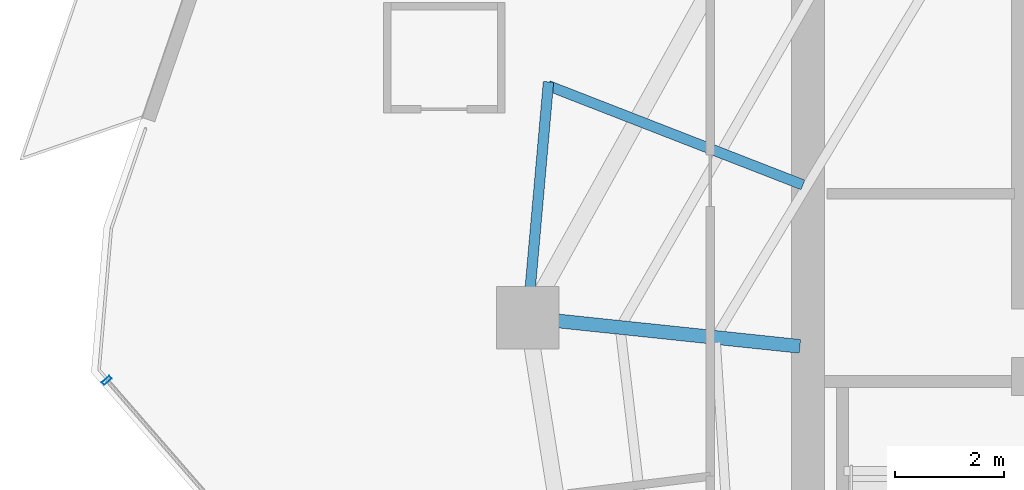
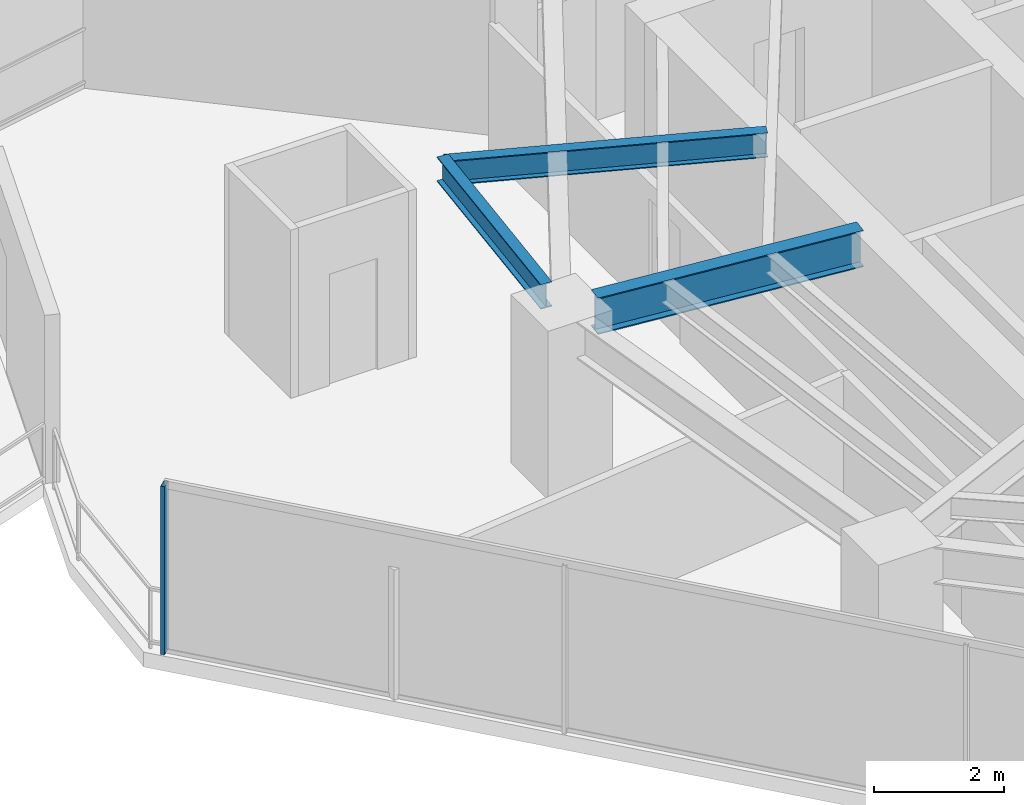
# One storey, part 8 of 27: 3 beams, 1 member, 1 element without a shape of its own.
"""IFC4 building model written with IfcOpenShell, lengths in metres."""

import ifcopenshell
import ifcopenshell.guid

model = None  # the IFC model being written
_history = None  # IfcOwnerHistory: only IFC2X3 demands one
_inside = {}  # id of a spatial element -> (the spatial element, [elements in it])
_under = {}  # id of a project, library or spatial element -> (it, [spatial elements below it])
_declared = {}  # id of a project -> (the project, [libraries it declares])
_typed = {}  # id of a type object -> (the type object, [elements of that type])
_made_of = {}  # id of a material, layer set ... -> (it, [elements and type objects made of it])


def new_model(schema):
    """Start an empty IFC model of exactly this schema.

    Asked for "IFC4X3", IfcOpenShell would pick the latest addendum, in which some entities
    have other attributes; the version numbers below select the first issue.
    IFC2X3 requires an IfcOwnerHistory on every rooted entity: one is made here for all.
    """
    global model, _history
    if schema == "IFC4X3":
        model = ifcopenshell.file(schema_version=(4, 3, 0, 0))
    else:
        model = ifcopenshell.file(schema=schema)
    _inside.clear()
    _under.clear()
    _declared.clear()
    _typed.clear()
    _made_of.clear()
    _history = None
    if model.schema == "IFC2X3":
        org = make("IfcOrganization", Name="unknown")
        user = make(
            "IfcPersonAndOrganization",
            ThePerson=make("IfcPerson", FamilyName="unknown"),
            TheOrganization=org,
        )
        app = make(
            "IfcApplication",
            ApplicationDeveloper=org,
            Version="unknown",
            ApplicationFullName="unknown",
            ApplicationIdentifier="unknown",
        )
        _history = make(
            "IfcOwnerHistory",
            OwningUser=user,
            OwningApplication=app,
            ChangeAction="ADDED",
            CreationDate=0,
        )
    return model


def make(cls, **values):
    """One entity of the class cls with the attributes given. An attribute that is None is left unset."""
    return model.create_entity(
        cls, **{name: value for name, value in values.items() if value is not None}
    )


def rooted(cls, **values):
    """An entity with a GlobalId (a new one), such as an element, a storey or a relation."""
    return make(cls, GlobalId=ifcopenshell.guid.new(), OwnerHistory=_history, **values)


def si_unit(unit_type, name, prefix=None):
    """IfcSIUnit, for example si_unit("LENGTHUNIT", "METRE", prefix="MILLI")."""
    return make("IfcSIUnit", UnitType=unit_type, Prefix=prefix, Name=name)


def assignment(units):
    """IfcUnitAssignment: the units of a project."""
    return None if units is None else make("IfcUnitAssignment", Units=units)


def point(xyz):
    """IfcCartesianPoint."""
    return None if xyz is None else make("IfcCartesianPoint", Coordinates=xyz)


def direction(xyz):
    """IfcDirection."""
    return None if xyz is None else make("IfcDirection", DirectionRatios=xyz)


def frame(location, z_axis=None, x_axis=None):
    """IfcAxis2Placement3D, a coordinate frame: its origin and axes. An axis left out is left unset."""
    return make(
        "IfcAxis2Placement3D",
        Location=point(location),
        Axis=direction(z_axis),
        RefDirection=direction(x_axis),
    )


def frame_2d(location, x_axis=None):
    """IfcAxis2Placement2D, a coordinate frame in the plane: its origin and x axis."""
    return make(
        "IfcAxis2Placement2D", Location=point(location), RefDirection=direction(x_axis)
    )


def origin():
    """The frame at (0, 0, 0) with its axes left unset."""
    return frame((0.0, 0.0, 0.0))


def origin_2d():
    """The frame at (0, 0) in the plane with its x axis left unset."""
    return frame_2d((0.0, 0.0))


def place(relative_to, where):
    """IfcLocalPlacement: puts the frame where relative to a parent placement (None: the world)."""
    return make(
        "IfcLocalPlacement", PlacementRelTo=relative_to, RelativePlacement=where
    )


def context(
    kind, dimensions, precision=None, world=None, true_north=None, identifier=None
):
    """IfcGeometricRepresentationContext, for example the 3D "Model" context."""
    return make(
        "IfcGeometricRepresentationContext",
        ContextIdentifier=identifier,
        ContextType=kind,
        CoordinateSpaceDimension=dimensions,
        Precision=precision,
        WorldCoordinateSystem=world,
        TrueNorth=true_north,
    )


def subcontext(parent, identifier, kind, view, scale=None):
    """IfcGeometricRepresentationSubContext, for example "Body" below "Model"."""
    return make(
        "IfcGeometricRepresentationSubContext",
        ContextIdentifier=identifier,
        ContextType=kind,
        ParentContext=parent,
        TargetScale=scale,
        TargetView=view,
    )


def project(units=None, contexts=None):
    """IfcProject with its units and contexts."""
    return rooted(
        "IfcProject",
        Name="project",
        RepresentationContexts=contexts,
        UnitsInContext=assignment(units),
    )


def spatial(cls, under=None, at=None, **own):
    """A site, building, storey or space (cls), placed at a placement, below another one or the project."""
    s = rooted(cls, ObjectPlacement=at, **own)
    if under is not None:
        _under.setdefault(under.id(), (under, []))[1].append(s)
    return s


def profile(cls, at=None, kind="AREA", **sizes):
    """A parametric profile (cls). Its sizes go by their IFC names, for example OverallWidth=200.0."""
    return make(cls, ProfileType=kind, Position=at, **sizes)


def hollow_rectangle(**sizes):
    """IfcRectangleHollowProfileDef."""
    return profile("IfcRectangleHollowProfileDef", **sizes)


def i_section(**sizes):
    """IfcIShapeProfileDef."""
    return profile("IfcIShapeProfileDef", **sizes)


def extrude(swept, where, along, depth):
    """IfcExtrudedAreaSolid: the profile swept, set in the frame where, extruded along a direction by depth."""
    return make(
        "IfcExtrudedAreaSolid",
        SweptArea=swept,
        Position=where,
        ExtrudedDirection=direction(along),
        Depth=depth,
    )


def shape(context_of_items, identifier, shape_type, items):
    """IfcShapeRepresentation: the items that make up one representation, for example the "Body"."""
    return make(
        "IfcShapeRepresentation",
        ContextOfItems=context_of_items,
        RepresentationIdentifier=identifier,
        RepresentationType=shape_type,
        Items=items,
    )


def material(Name=None, Category=None):
    """IfcMaterial."""
    return make("IfcMaterial", Name=Name, Category=Category)


def layer(
    of_material, thickness, ventilated=None, Name=None, Category=None, Priority=None
):
    """IfcMaterialLayer: one layer of a wall or slab, of a material (None: an air gap)."""
    return make(
        "IfcMaterialLayer",
        Material=of_material,
        LayerThickness=thickness,
        IsVentilated=ventilated,
        Name=Name,
        Category=Category,
        Priority=Priority,
    )


def layer_set(layers, Name=None):
    """IfcMaterialLayerSet."""
    return make("IfcMaterialLayerSet", MaterialLayers=layers, LayerSetName=Name)


def material_profile(
    of_material, cross_section, Name=None, Category=None, Priority=None
):
    """IfcMaterialProfile: a cross section and its material."""
    return make(
        "IfcMaterialProfile",
        Name=Name,
        Material=of_material,
        Profile=cross_section,
        Priority=Priority,
        Category=Category,
    )


def profile_set(profiles, Name=None, composite=None):
    """IfcMaterialProfileSet."""
    return make(
        "IfcMaterialProfileSet",
        Name=Name,
        MaterialProfiles=profiles,
        CompositeProfile=composite,
    )


def made_of(thing, what):
    """Note that an element or type object is made of a material, layer set ...; save() writes the relation."""
    if what is not None:
        _made_of.setdefault(what.id(), (what, []))[1].append(thing)
    return thing


def type_object(cls, material=None, **own):
    """A type object (cls), such as IfcWallType, which elements share."""
    return made_of(rooted(cls, **own), material)


def element(
    cls,
    number,
    at=None,
    inside=None,
    cuts=None,
    type_object=None,
    material=None,
    context=None,
    identifier="Body",
    shape_type=None,
    held_by="IfcProductDefinitionShape",
    body=None,
    shapes=None,
    **own,
):
    """One element of the class cls, such as IfcWall. Its Tag is "e" and its number.

    at: its placement. inside: the storey or other place that contains it. cuts: it is an
    opening in that element (IfcRelVoidsElement). A single representation is given by context,
    identifier, shape_type and body (its items); several are given by shapes. held_by: the class
    of the entity that holds the representations. save() writes the other relations.
    """
    e = rooted(cls, Tag="e%d" % number, ObjectPlacement=at, **own)
    if body is not None:
        shapes = [shape(context, identifier, shape_type, body)]
    if shapes is not None:
        e.Representation = make(held_by, Representations=shapes)
    if inside is not None:
        _inside.setdefault(inside.id(), (inside, []))[1].append(e)
    if cuts is not None:
        rooted(
            "IfcRelVoidsElement", RelatingBuildingElement=cuts, RelatedOpeningElement=e
        )
    if type_object is not None:
        _typed.setdefault(type_object.id(), (type_object, []))[1].append(e)
    return made_of(e, material)


def aggregate(whole, parts):
    """IfcRelAggregates: a whole, such as a stair, and the parts it consists of."""
    return rooted("IfcRelAggregates", RelatingObject=whole, RelatedObjects=parts)


def save(model, path):
    """Write the relations noted so far, then the file.

    IfcRelAggregates (storeys below a building ...), IfcRelContainedInSpatialStructure (elements
    in a storey), IfcRelDefinesByType, IfcRelAssociatesMaterial and IfcRelDeclares: one each for
    every whole, place, type object, material and project.
    """
    for whole, parts in _under.values():
        aggregate(whole, parts)
    for where, things in _inside.values():
        rooted(
            "IfcRelContainedInSpatialStructure",
            RelatedElements=things,
            RelatingStructure=where,
        )
    for kind, things in _typed.values():
        rooted("IfcRelDefinesByType", RelatedObjects=things, RelatingType=kind)
    for what, things in _made_of.values():
        rooted("IfcRelAssociatesMaterial", RelatedObjects=things, RelatingMaterial=what)
    for by, libraries in _declared.values():
        rooted("IfcRelDeclares", RelatingContext=by, RelatedDefinitions=libraries)
    model.write(path)


model = new_model("IFC4")

# Units and contexts
model_context = context("Model", 3, precision=1e-05, world=origin(), true_north=direction((0.0, 1.0)))
body_context = subcontext(model_context, "Body", "Model", "MODEL_VIEW")
ifc_project = project(units=[si_unit("LENGTHUNIT", "METRE"), si_unit("AREAUNIT", "SQUARE_METRE"), si_unit("VOLUMEUNIT", "CUBIC_METRE"), si_unit("PLANEANGLEUNIT", "RADIAN"), si_unit("MASSUNIT", "GRAM", prefix="KILO")], contexts=[model_context])

# Site, building, storey
site_placement = place(None, origin())
site = spatial("IfcSite", under=ifc_project, at=site_placement, CompositionType="ELEMENT")
building_placement = place(site_placement, origin())
building = spatial("IfcBuilding", under=site, at=building_placement, Name="Qarnah Convention Tower", CompositionType="ELEMENT")
storey_placement = place(building_placement, frame((0.0, 0.0, 107.39990234375)))
storey = spatial("IfcBuildingStorey", under=building, at=storey_placement, Name="L28", CompositionType="ELEMENT", Elevation=107.39990234375)

# Beams
ifc_material_1 = material(Name="Structural steel S355JR", Category="steel")
ifc_material_profile_1 = material_profile(ifc_material_1, i_section(OverallWidth=0.19189453125, OverallDepth=0.464111328125, WebThickness=0.010986328125, FlangeThickness=0.01806640625, at=origin_2d()), Name="W460X89")
ifc_profile_set_1 = profile_set([ifc_material_profile_1], Name="Structural steel S355JR")
beam_type_1 = type_object("IfcBeamType", Name="BM-CANT-W460A", PredefinedType="BEAM", material=ifc_profile_set_1)
beam_1_placement = place(storey_placement, frame((26.70703125, 30.48291015625, 2.93798828125), z_axis=(-0.93184170275, 0.362865045183, 0.0), x_axis=(-0.362865045183, -0.93184170275, 0.0)))
element("IfcBeam", 1, at=beam_1_placement, inside=storey, type_object=beam_type_1, Name="L28 beam BM-L28-CNT-02-1", PredefinedType="BEAM", context=body_context, shape_type="SweptSolid", body=[
    extrude(i_section(OverallWidth=0.19189453125, OverallDepth=0.464111328125, WebThickness=0.010986328125, FlangeThickness=0.01806640625, at=origin_2d()), origin(), (0.0, 0.0, 1.0), 5.035400390625),
])
beam_2_placement = place(storey_placement, frame((22.02099609375, 32.3798828125, 2.93798828125), z_axis=(-0.088250477094, -0.996098315074, 0.0), x_axis=(0.996098315074, -0.088250477094, 0.0)))
element("IfcBeam", 2, at=beam_2_placement, inside=storey, type_object=beam_type_1, Name="L28 spandrel BM-L28-CTIE-02", PredefinedType="SPANDREL", context=body_context, shape_type="SweptSolid", body=[
    extrude(i_section(OverallWidth=0.19189453125, OverallDepth=0.464111328125, WebThickness=0.010986328125, FlangeThickness=0.01806640625, at=origin_2d()), origin(), (0.0, 0.0, 1.0), 3.795654296875),
])
ifc_material_profile_2 = material_profile(ifc_material_1, i_section(OverallWidth=0.25390625, OverallDepth=0.68798828125, WebThickness=0.012939453125, FlangeThickness=0.02099609375, at=origin_2d()), Name="W690X152")
ifc_profile_set_2 = profile_set([ifc_material_profile_2], Name="Structural steel S355JR")
beam_type_2 = type_object("IfcBeamType", Name="BM-RAD-W690", PredefinedType="BEAM", material=ifc_profile_set_2)
beam_3_placement = place(storey_placement, frame((26.65087890625, 27.509033203125, 2.826171875), z_axis=(-0.994523622606, 0.104512028393, 0.0), x_axis=(-0.104512028393, -0.994523622606, 0.0)))
element("IfcBeam", 3, at=beam_3_placement, inside=storey, type_object=beam_type_2, Name="L28 beam BM-L28-RAD-05", PredefinedType="BEAM", context=body_context, shape_type="SweptSolid", body=[
    extrude(i_section(OverallWidth=0.25390625, OverallDepth=0.68798828125, WebThickness=0.012939453125, FlangeThickness=0.02099609375, at=origin_2d()), origin(), (0.0, 0.0, 1.0), 4.487548828125),
])

# Curtain wall, member
ifc_material_2 = material(Name="Tempered Low-E dark glass", Category="glass")
ifc_layer = layer(ifc_material_2, 0.169921875)
ifc_layer_set = layer_set([ifc_layer], Name="Tempered Low-E dark glass")
curtain_wall_type = type_object("IfcCurtainWallType", Name="CWS-02", PredefinedType="NOTDEFINED", material=ifc_layer_set)
curtain_wall_placement = place(storey_placement, origin())
curtain_wall = element("IfcCurtainWall", 4, at=curtain_wall_placement, inside=storey, type_object=curtain_wall_type, Name="L28 unitised curtain wall CW-L28-F3", PredefinedType="NOTDEFINED")
ifc_material_3 = material(Name="Black anodised aluminium", Category="aluminium")
ifc_material_profile_3 = material_profile(ifc_material_3, hollow_rectangle(XDim=0.06494140625, YDim=0.179931640625, WallThickness=0.00390625, at=origin_2d()), Name="MUL-65X180")
ifc_profile_set_3 = profile_set([ifc_material_profile_3], Name="Black anodised aluminium")
member_type = type_object("IfcMemberType", Name="MUL-T2", PredefinedType="MULLION", material=ifc_profile_set_3)
member_placement = place(storey_placement, frame((13.885986328125, 26.882080078125, 0.0), z_axis=(0.0, 0.0, 1.0), x_axis=(-0.6565842682, 0.754252675668, 0.0)))
member = element("IfcMember", 5, at=member_placement, type_object=member_type, Name="CW-L28-F3 mullion 6", PredefinedType="MULLION", context=body_context, shape_type="SweptSolid", body=[
    extrude(hollow_rectangle(XDim=0.06494140625, YDim=0.179931640625, WallThickness=0.00390625, at=origin_2d()), origin(), (0.0, 0.0, 1.0), 3.170166015625),
])
aggregate(curtain_wall, [member])

save(model, "model.ifc")
